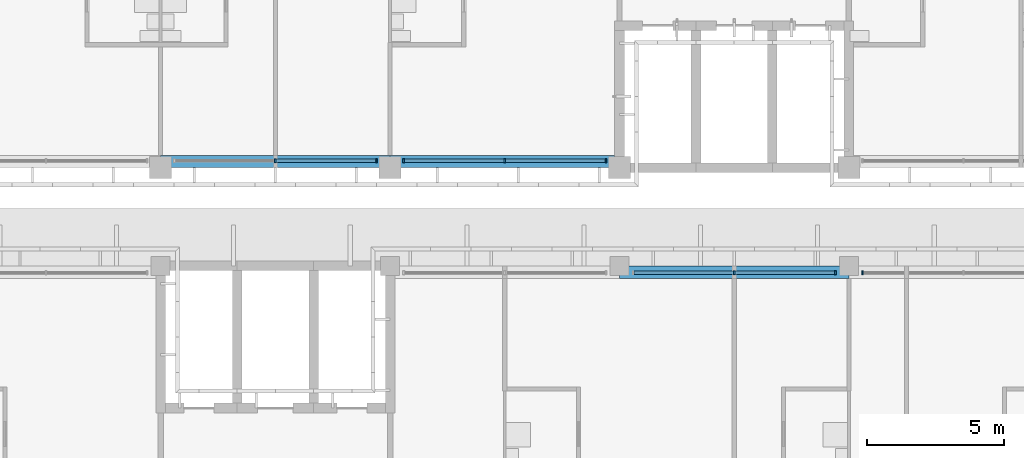
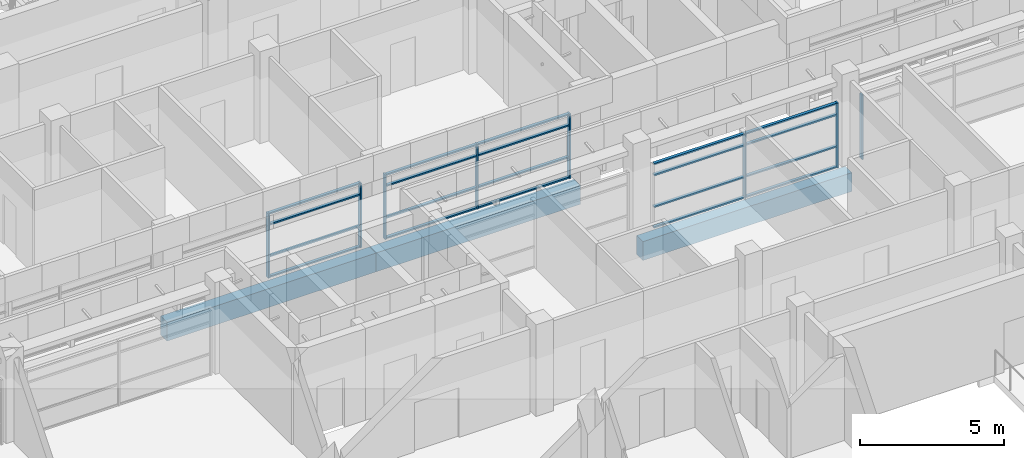
# One storey, part 15 of 71: 28 members, 3 beams, 4 elements without a shape of their own.
"""IFC4 building model written with IfcOpenShell, lengths in metres."""

from ifc_helpers import new_model, si_unit, direction, frame, origin, origin_2d, place, context, subcontext, project, spatial, rectangle, extrude, material, material_profile, profile_set, type_object, element, aggregate, save


model = new_model("IFC4")

# Units and contexts
model_context = context("Model", 3, precision=1e-05, world=origin(), true_north=direction((0.0, 1.0)))
body_context = subcontext(model_context, "Body", "Model", "MODEL_VIEW")
ifc_project = project(units=[si_unit("LENGTHUNIT", "METRE"), si_unit("AREAUNIT", "SQUARE_METRE"), si_unit("VOLUMEUNIT", "CUBIC_METRE"), si_unit("PLANEANGLEUNIT", "RADIAN"), si_unit("MASSUNIT", "GRAM", prefix="KILO")], contexts=[model_context])

# Site, building, storey
site_placement = place(None, origin())
site = spatial("IfcSite", under=ifc_project, at=site_placement, CompositionType="ELEMENT")
building_placement = place(site_placement, origin())
building = spatial("IfcBuilding", under=site, at=building_placement, Name="Bougainvillea Quay General Hospital", CompositionType="ELEMENT")
storey_placement = place(building_placement, frame((0.0, 0.0, 24.89990234375)))
storey = spatial("IfcBuildingStorey", under=building, at=storey_placement, Name="L05", CompositionType="ELEMENT", Elevation=24.89990234375)

# Curtain wall, members
ifc_material_1 = material(Name="Aluminium curtain wall system, powder-coated glazed", Category="aluminium")
curtain_wall_type = type_object("IfcCurtainWallType", Name="Unitised curtain wall CW-3730", PredefinedType="NOTDEFINED", material=ifc_material_1)
curtain_wall_1_placement = place(storey_placement, origin())
curtain_wall_1 = element("IfcCurtainWall", 1, at=curtain_wall_1_placement, inside=storey, type_object=curtain_wall_type, Name="CW-4200 07", PredefinedType="NOTDEFINED")
ifc_material_2 = material(Name="Aluminium mullion, powder-coated charcoal", Category="aluminium")
ifc_material_profile_1 = material_profile(ifc_material_2, rectangle(XDim=0.159912109375, YDim=0.06005859375, at=origin_2d()))
ifc_profile_set_1 = profile_set([ifc_material_profile_1], Name="Aluminium mullion, powder-coated charcoal")
member_type_1 = type_object("IfcMemberType", Name="Curtain wall mullion 160x60", PredefinedType="MULLION", material=ifc_profile_set_1)
member_1_placement = place(storey_placement, frame((138.60009765625, 140.64990234375, 0.0), z_axis=(0.0, 0.0, 1.0), x_axis=(0.0, 1.0, 0.0)))
member_1 = element("IfcMember", 2, at=member_1_placement, type_object=member_type_1, Name="CW-4200 mullion 2", PredefinedType="MULLION", context=body_context, shape_type="SweptSolid", body=[
    extrude(rectangle(XDim=0.159912109375, YDim=0.06005859375, at=origin_2d()), origin(), (0.0, 0.0, 1.0), 2.75),
])
member_2_placement = place(storey_placement, frame((142.300048828125, 140.64990234375, 0.0), z_axis=(0.0, 0.0, 1.0), x_axis=(0.0, 1.0, 0.0)))
member_2 = element("IfcMember", 3, at=member_2_placement, type_object=member_type_1, Name="CW-4200 mullion 3", PredefinedType="MULLION", context=body_context, shape_type="SweptSolid", body=[
    extrude(rectangle(XDim=0.159912109375, YDim=0.06005859375, at=origin_2d()), origin(), (0.0, 0.0, 1.0), 2.75),
])

curtain_wall_2_placement = place(storey_placement, origin())
curtain_wall_2 = element("IfcCurtainWall", 4, at=curtain_wall_2_placement, inside=storey, type_object=curtain_wall_type, Name="CW-4200 08", PredefinedType="NOTDEFINED")
member_3_placement = place(storey_placement, frame((143.300048828125, 140.64990234375, 0.0), z_axis=(0.0, 0.0, 1.0), x_axis=(0.0, 1.0, 0.0)))
member_3 = element("IfcMember", 5, at=member_3_placement, type_object=member_type_1, Name="CW-4200 mullion 1", PredefinedType="MULLION", context=body_context, shape_type="SweptSolid", body=[
    extrude(rectangle(XDim=0.159912109375, YDim=0.06005859375, at=origin_2d()), origin(), (0.0, 0.0, 1.0), 2.75),
])
member_4_placement = place(storey_placement, frame((147.0, 140.64990234375, 0.0), z_axis=(0.0, 0.0, 1.0), x_axis=(0.0, 1.0, 0.0)))
member_4 = element("IfcMember", 6, at=member_4_placement, type_object=member_type_1, Name="CW-4200 mullion 2", PredefinedType="MULLION", context=body_context, shape_type="SweptSolid", body=[
    extrude(rectangle(XDim=0.159912109375, YDim=0.06005859375, at=origin_2d()), origin(), (0.0, 0.0, 1.0), 2.75),
])
member_5_placement = place(storey_placement, frame((150.699951171875, 140.64990234375, 0.0), z_axis=(0.0, 0.0, 1.0), x_axis=(0.0, 1.0, 0.0)))
member_5 = element("IfcMember", 7, at=member_5_placement, type_object=member_type_1, Name="CW-4200 mullion 3", PredefinedType="MULLION", context=body_context, shape_type="SweptSolid", body=[
    extrude(rectangle(XDim=0.159912109375, YDim=0.06005859375, at=origin_2d()), origin(), (0.0, 0.0, 1.0), 2.75),
])

# Curtain wall, member
curtain_wall_3_placement = place(storey_placement, origin())
curtain_wall_3 = element("IfcCurtainWall", 8, at=curtain_wall_3_placement, inside=storey, type_object=curtain_wall_type, Name="CW-4200 00", PredefinedType="NOTDEFINED")
member_6_placement = place(storey_placement, frame((160.10009765625, 136.550048828125, 0.0), z_axis=(0.0, 0.0, 1.0), x_axis=(0.0, -1.0, 0.0)))
member_6 = element("IfcMember", 9, at=member_6_placement, type_object=member_type_1, Name="CW-4200 mullion 3", PredefinedType="MULLION", context=body_context, shape_type="SweptSolid", body=[
    extrude(rectangle(XDim=0.159912109375, YDim=0.06005859375, at=origin_2d()), origin(), (0.0, 0.0, 1.0), 2.75),
])
aggregate(curtain_wall_3, [member_6])

# Curtain wall, members
curtain_wall_4_placement = place(storey_placement, origin())
curtain_wall_4 = element("IfcCurtainWall", 10, at=curtain_wall_4_placement, inside=storey, type_object=curtain_wall_type, Name="CW-4200 01", PredefinedType="NOTDEFINED")
member_7_placement = place(storey_placement, frame((159.10009765625, 136.550048828125, 0.0), z_axis=(0.0, 0.0, 1.0), x_axis=(0.0, -1.0, 0.0)))
member_7 = element("IfcMember", 11, at=member_7_placement, type_object=member_type_1, Name="CW-4200 mullion 1", PredefinedType="MULLION", context=body_context, shape_type="SweptSolid", body=[
    extrude(rectangle(XDim=0.159912109375, YDim=0.06005859375, at=origin_2d()), origin(), (0.0, 0.0, 1.0), 2.75),
])
member_8_placement = place(storey_placement, frame((155.39990234375, 136.550048828125, 0.0), z_axis=(0.0, 0.0, 1.0), x_axis=(0.0, -1.0, 0.0)))
member_8 = element("IfcMember", 12, at=member_8_placement, type_object=member_type_1, Name="CW-4200 mullion 2", PredefinedType="MULLION", context=body_context, shape_type="SweptSolid", body=[
    extrude(rectangle(XDim=0.159912109375, YDim=0.06005859375, at=origin_2d()), origin(), (0.0, 0.0, 1.0), 2.75),
])

# Member
ifc_material_3 = material(Name="Aluminium transom, powder-coated charcoal", Category="aluminium")
ifc_material_profile_2 = material_profile(ifc_material_3, rectangle(XDim=0.1201171875, YDim=0.06005859375, at=origin_2d()))
ifc_profile_set_2 = profile_set([ifc_material_profile_2], Name="Aluminium transom, powder-coated charcoal")
member_type_2 = type_object("IfcMemberType", Name="Curtain wall transom 120x60", PredefinedType="USERDEFINED", material=ifc_profile_set_2)
member_9_placement = place(storey_placement, frame((138.6298828125, 140.64990234375, 0.030029296875), z_axis=(1.0, 0.0, 0.0), x_axis=(0.0, 1.0, 0.0)))
member_9 = element("IfcMember", 13, at=member_9_placement, type_object=member_type_2, Name="CW-4200 transom 2.1", ObjectType="TRANSOM", PredefinedType="USERDEFINED", context=body_context, shape_type="SweptSolid", body=[
    extrude(rectangle(XDim=0.1201171875, YDim=0.06005859375, at=origin_2d()), origin(), (0.0, 0.0, 1.0), 3.64013671875),
])

member_10_placement = place(storey_placement, frame((138.6298828125, 140.64990234375, 0.900146484375), z_axis=(1.0, 0.0, 0.0), x_axis=(0.0, 1.0, 0.0)))
member_10 = element("IfcMember", 14, at=member_10_placement, type_object=member_type_2, Name="CW-4200 transom 2.2", ObjectType="TRANSOM", PredefinedType="USERDEFINED", context=body_context, shape_type="SweptSolid", body=[
    extrude(rectangle(XDim=0.1201171875, YDim=0.06005859375, at=origin_2d()), origin(), (0.0, 0.0, 1.0), 3.64013671875),
])

member_11_placement = place(storey_placement, frame((138.6298828125, 140.64990234375, 2.25), z_axis=(1.0, 0.0, 0.0), x_axis=(0.0, 1.0, 0.0)))
member_11 = element("IfcMember", 15, at=member_11_placement, type_object=member_type_2, Name="CW-4200 transom 2.3", ObjectType="TRANSOM", PredefinedType="USERDEFINED", context=body_context, shape_type="SweptSolid", body=[
    extrude(rectangle(XDim=0.1201171875, YDim=0.06005859375, at=origin_2d()), origin(), (0.0, 0.0, 1.0), 3.64013671875),
])

member_12_placement = place(storey_placement, frame((138.6298828125, 140.64990234375, 2.72021484375), z_axis=(1.0, 0.0, 0.0), x_axis=(0.0, 1.0, 0.0)))
member_12 = element("IfcMember", 16, at=member_12_placement, type_object=member_type_2, Name="CW-4200 transom 2.4", ObjectType="TRANSOM", PredefinedType="USERDEFINED", context=body_context, shape_type="SweptSolid", body=[
    extrude(rectangle(XDim=0.1201171875, YDim=0.06005859375, at=origin_2d()), origin(), (0.0, 0.0, 1.0), 3.64013671875),
])

aggregate(curtain_wall_1, [member_1, member_2, member_9, member_10, member_11, member_12])

member_13_placement = place(storey_placement, frame((143.330078125, 140.64990234375, 0.030029296875), z_axis=(1.0, 0.0, 0.0), x_axis=(0.0, 1.0, 0.0)))
member_13 = element("IfcMember", 17, at=member_13_placement, type_object=member_type_2, Name="CW-4200 transom 1.1", ObjectType="TRANSOM", PredefinedType="USERDEFINED", context=body_context, shape_type="SweptSolid", body=[
    extrude(rectangle(XDim=0.1201171875, YDim=0.06005859375, at=origin_2d()), origin(), (0.0, 0.0, 1.0), 3.639892578125),
])

member_14_placement = place(storey_placement, frame((143.330078125, 140.64990234375, 0.900146484375), z_axis=(1.0, 0.0, 0.0), x_axis=(0.0, 1.0, 0.0)))
member_14 = element("IfcMember", 18, at=member_14_placement, type_object=member_type_2, Name="CW-4200 transom 1.2", ObjectType="TRANSOM", PredefinedType="USERDEFINED", context=body_context, shape_type="SweptSolid", body=[
    extrude(rectangle(XDim=0.1201171875, YDim=0.06005859375, at=origin_2d()), origin(), (0.0, 0.0, 1.0), 3.639892578125),
])

member_15_placement = place(storey_placement, frame((143.330078125, 140.64990234375, 2.25), z_axis=(1.0, 0.0, 0.0), x_axis=(0.0, 1.0, 0.0)))
member_15 = element("IfcMember", 19, at=member_15_placement, type_object=member_type_2, Name="CW-4200 transom 1.3", ObjectType="TRANSOM", PredefinedType="USERDEFINED", context=body_context, shape_type="SweptSolid", body=[
    extrude(rectangle(XDim=0.1201171875, YDim=0.06005859375, at=origin_2d()), origin(), (0.0, 0.0, 1.0), 3.639892578125),
])

member_16_placement = place(storey_placement, frame((143.330078125, 140.64990234375, 2.72021484375), z_axis=(1.0, 0.0, 0.0), x_axis=(0.0, 1.0, 0.0)))
member_16 = element("IfcMember", 20, at=member_16_placement, type_object=member_type_2, Name="CW-4200 transom 1.4", ObjectType="TRANSOM", PredefinedType="USERDEFINED", context=body_context, shape_type="SweptSolid", body=[
    extrude(rectangle(XDim=0.1201171875, YDim=0.06005859375, at=origin_2d()), origin(), (0.0, 0.0, 1.0), 3.639892578125),
])

member_17_placement = place(storey_placement, frame((147.030029296875, 140.64990234375, 0.030029296875), z_axis=(1.0, 0.0, 0.0), x_axis=(0.0, 1.0, 0.0)))
member_17 = element("IfcMember", 21, at=member_17_placement, type_object=member_type_2, Name="CW-4200 transom 2.1", ObjectType="TRANSOM", PredefinedType="USERDEFINED", context=body_context, shape_type="SweptSolid", body=[
    extrude(rectangle(XDim=0.1201171875, YDim=0.06005859375, at=origin_2d()), origin(), (0.0, 0.0, 1.0), 3.639892578125),
])

member_18_placement = place(storey_placement, frame((147.030029296875, 140.64990234375, 0.900146484375), z_axis=(1.0, 0.0, 0.0), x_axis=(0.0, 1.0, 0.0)))
member_18 = element("IfcMember", 22, at=member_18_placement, type_object=member_type_2, Name="CW-4200 transom 2.2", ObjectType="TRANSOM", PredefinedType="USERDEFINED", context=body_context, shape_type="SweptSolid", body=[
    extrude(rectangle(XDim=0.1201171875, YDim=0.06005859375, at=origin_2d()), origin(), (0.0, 0.0, 1.0), 3.639892578125),
])

member_19_placement = place(storey_placement, frame((147.030029296875, 140.64990234375, 2.25), z_axis=(1.0, 0.0, 0.0), x_axis=(0.0, 1.0, 0.0)))
member_19 = element("IfcMember", 23, at=member_19_placement, type_object=member_type_2, Name="CW-4200 transom 2.3", ObjectType="TRANSOM", PredefinedType="USERDEFINED", context=body_context, shape_type="SweptSolid", body=[
    extrude(rectangle(XDim=0.1201171875, YDim=0.06005859375, at=origin_2d()), origin(), (0.0, 0.0, 1.0), 3.639892578125),
])

member_20_placement = place(storey_placement, frame((147.030029296875, 140.64990234375, 2.72021484375), z_axis=(1.0, 0.0, 0.0), x_axis=(0.0, 1.0, 0.0)))
member_20 = element("IfcMember", 24, at=member_20_placement, type_object=member_type_2, Name="CW-4200 transom 2.4", ObjectType="TRANSOM", PredefinedType="USERDEFINED", context=body_context, shape_type="SweptSolid", body=[
    extrude(rectangle(XDim=0.1201171875, YDim=0.06005859375, at=origin_2d()), origin(), (0.0, 0.0, 1.0), 3.639892578125),
])

aggregate(curtain_wall_2, [member_3, member_4, member_5, member_13, member_14, member_15, member_16, member_17, member_18, member_19, member_20])

member_21_placement = place(storey_placement, frame((159.070068359375, 136.550048828125, 0.030029296875), z_axis=(-1.0, 0.0, 0.0), x_axis=(0.0, -1.0, 0.0)))
member_21 = element("IfcMember", 25, at=member_21_placement, type_object=member_type_2, Name="CW-4200 transom 1.1", ObjectType="TRANSOM", PredefinedType="USERDEFINED", context=body_context, shape_type="SweptSolid", body=[
    extrude(rectangle(XDim=0.1201171875, YDim=0.06005859375, at=origin_2d()), origin(), (0.0, 0.0, 1.0), 3.64013671875),
])

member_22_placement = place(storey_placement, frame((159.070068359375, 136.550048828125, 0.900146484375), z_axis=(-1.0, 0.0, 0.0), x_axis=(0.0, -1.0, 0.0)))
member_22 = element("IfcMember", 26, at=member_22_placement, type_object=member_type_2, Name="CW-4200 transom 1.2", ObjectType="TRANSOM", PredefinedType="USERDEFINED", context=body_context, shape_type="SweptSolid", body=[
    extrude(rectangle(XDim=0.1201171875, YDim=0.06005859375, at=origin_2d()), origin(), (0.0, 0.0, 1.0), 3.64013671875),
])

member_23_placement = place(storey_placement, frame((159.070068359375, 136.550048828125, 2.25), z_axis=(-1.0, 0.0, 0.0), x_axis=(0.0, -1.0, 0.0)))
member_23 = element("IfcMember", 27, at=member_23_placement, type_object=member_type_2, Name="CW-4200 transom 1.3", ObjectType="TRANSOM", PredefinedType="USERDEFINED", context=body_context, shape_type="SweptSolid", body=[
    extrude(rectangle(XDim=0.1201171875, YDim=0.06005859375, at=origin_2d()), origin(), (0.0, 0.0, 1.0), 3.64013671875),
])

member_24_placement = place(storey_placement, frame((159.070068359375, 136.550048828125, 2.72021484375), z_axis=(-1.0, 0.0, 0.0), x_axis=(0.0, -1.0, 0.0)))
member_24 = element("IfcMember", 28, at=member_24_placement, type_object=member_type_2, Name="CW-4200 transom 1.4", ObjectType="TRANSOM", PredefinedType="USERDEFINED", context=body_context, shape_type="SweptSolid", body=[
    extrude(rectangle(XDim=0.1201171875, YDim=0.06005859375, at=origin_2d()), origin(), (0.0, 0.0, 1.0), 3.64013671875),
])

member_25_placement = place(storey_placement, frame((155.3701171875, 136.550048828125, 0.030029296875), z_axis=(-1.0, 0.0, 0.0), x_axis=(0.0, -1.0, 0.0)))
member_25 = element("IfcMember", 29, at=member_25_placement, type_object=member_type_2, Name="CW-4200 transom 2.1", ObjectType="TRANSOM", PredefinedType="USERDEFINED", context=body_context, shape_type="SweptSolid", body=[
    extrude(rectangle(XDim=0.1201171875, YDim=0.06005859375, at=origin_2d()), origin(), (0.0, 0.0, 1.0), 3.64013671875),
])

member_26_placement = place(storey_placement, frame((155.3701171875, 136.550048828125, 0.900146484375), z_axis=(-1.0, 0.0, 0.0), x_axis=(0.0, -1.0, 0.0)))
member_26 = element("IfcMember", 30, at=member_26_placement, type_object=member_type_2, Name="CW-4200 transom 2.2", ObjectType="TRANSOM", PredefinedType="USERDEFINED", context=body_context, shape_type="SweptSolid", body=[
    extrude(rectangle(XDim=0.1201171875, YDim=0.06005859375, at=origin_2d()), origin(), (0.0, 0.0, 1.0), 3.64013671875),
])

member_27_placement = place(storey_placement, frame((155.3701171875, 136.550048828125, 2.25), z_axis=(-1.0, 0.0, 0.0), x_axis=(0.0, -1.0, 0.0)))
member_27 = element("IfcMember", 31, at=member_27_placement, type_object=member_type_2, Name="CW-4200 transom 2.3", ObjectType="TRANSOM", PredefinedType="USERDEFINED", context=body_context, shape_type="SweptSolid", body=[
    extrude(rectangle(XDim=0.1201171875, YDim=0.06005859375, at=origin_2d()), origin(), (0.0, 0.0, 1.0), 3.64013671875),
])

member_28_placement = place(storey_placement, frame((155.3701171875, 136.550048828125, 2.72021484375), z_axis=(-1.0, 0.0, 0.0), x_axis=(0.0, -1.0, 0.0)))
member_28 = element("IfcMember", 32, at=member_28_placement, type_object=member_type_2, Name="CW-4200 transom 2.4", ObjectType="TRANSOM", PredefinedType="USERDEFINED", context=body_context, shape_type="SweptSolid", body=[
    extrude(rectangle(XDim=0.1201171875, YDim=0.06005859375, at=origin_2d()), origin(), (0.0, 0.0, 1.0), 3.64013671875),
])

aggregate(curtain_wall_4, [member_7, member_8, member_21, member_22, member_23, member_24, member_25, member_26, member_27, member_28])

# Beams
ifc_material_4 = material(Name="Concrete C40", Category="concrete")
ifc_material_profile_3 = material_profile(ifc_material_4, rectangle(XDim=0.449951171875, YDim=0.800048828125, at=origin_2d()))
ifc_profile_set_3 = profile_set([ifc_material_profile_3], Name="Concrete C40")
beam_type = type_object("IfcBeamType", Name="RC BEAM 450x800 C40", PredefinedType="BEAM", material=ifc_profile_set_3)
beam_1_placement = place(storey_placement, frame((134.39990234375, 140.625, -0.699951171875), z_axis=(1.0, 0.0, 0.0), x_axis=(0.0, 1.0, 0.0)))
element("IfcBeam", 33, at=beam_1_placement, inside=storey, type_object=beam_type, Name="Edge beam L05", PredefinedType="BEAM", context=body_context, shape_type="SweptSolid", body=[
    extrude(rectangle(XDim=0.449951171875, YDim=0.800048828125, at=origin_2d()), origin(), (0.0, 0.0, 1.0), 8.400146484375),
])
beam_2_placement = place(storey_placement, frame((142.800048828125, 140.625, -0.699951171875), z_axis=(1.0, 0.0, 0.0), x_axis=(0.0, 1.0, 0.0)))
element("IfcBeam", 34, at=beam_2_placement, inside=storey, type_object=beam_type, Name="Edge beam L05", PredefinedType="BEAM", context=body_context, shape_type="SweptSolid", body=[
    extrude(rectangle(XDim=0.449951171875, YDim=0.800048828125, at=origin_2d()), origin(), (0.0, 0.0, 1.0), 8.224853515625),
])
beam_3_placement = place(storey_placement, frame((159.60009765625, 136.574951171875, -0.699951171875), z_axis=(-1.0, 0.0, 0.0), x_axis=(0.0, -1.0, 0.0)))
element("IfcBeam", 35, at=beam_3_placement, inside=storey, type_object=beam_type, Name="Edge beam L05", PredefinedType="BEAM", context=body_context, shape_type="SweptSolid", body=[
    extrude(rectangle(XDim=0.449951171875, YDim=0.800048828125, at=origin_2d()), origin(), (0.0, 0.0, 1.0), 8.400146484375),
])

save(model, "model.ifc")
